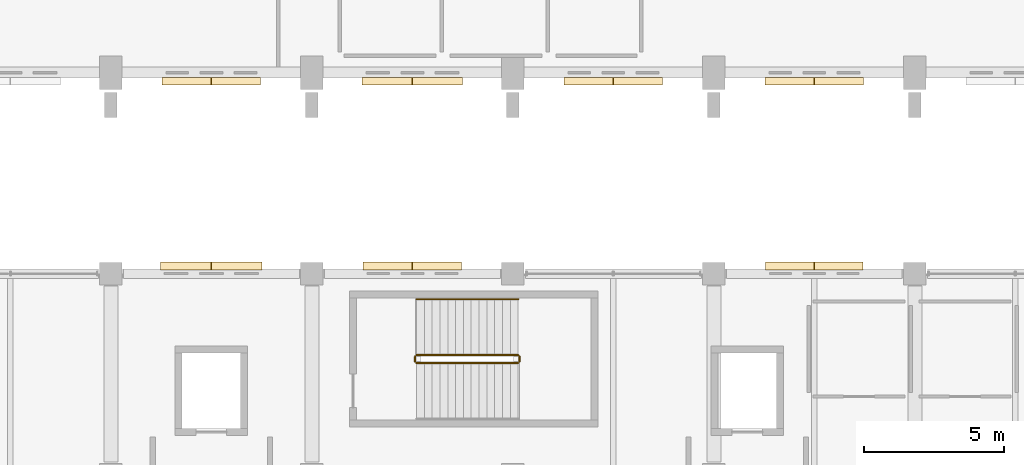
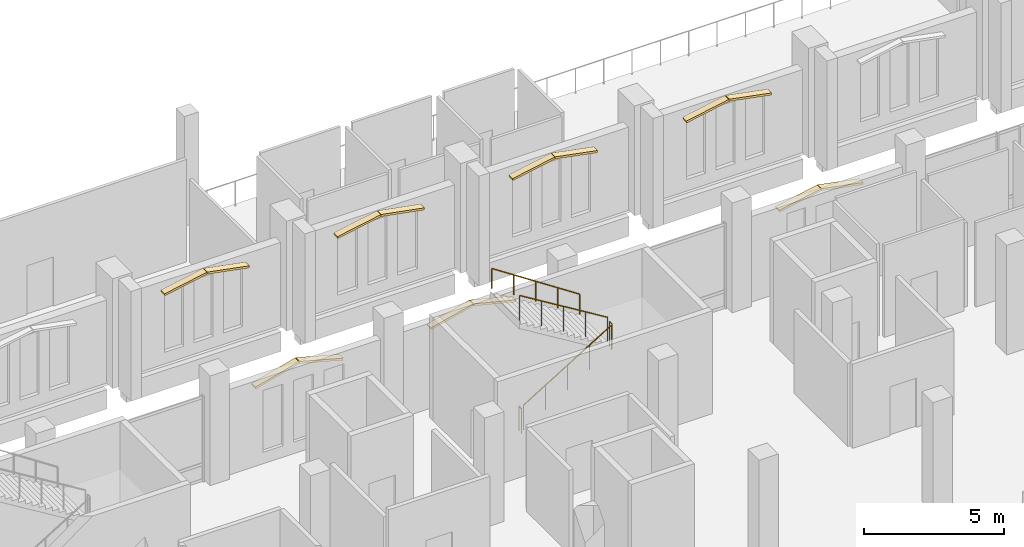
# One storey, part 207 of 220: 14 coverings, 5 railings.
"""IFC4 building model written with IfcOpenShell, lengths in metres."""

from ifc_helpers import new_model, si_unit, direction, frame, origin, origin_2d, place, context, subcontext, project, spatial, polyline, circle, outline, extrude, material, layer, layer_set, type_object, element, save


model = new_model("IFC4")

# Units and contexts
model_context = context("Model", 3, precision=1e-05, world=origin(), true_north=direction((0.0, 1.0)))
body_context = subcontext(model_context, "Body", "Model", "MODEL_VIEW")
ifc_project = project(units=[si_unit("LENGTHUNIT", "METRE"), si_unit("AREAUNIT", "SQUARE_METRE"), si_unit("VOLUMEUNIT", "CUBIC_METRE"), si_unit("PLANEANGLEUNIT", "RADIAN"), si_unit("MASSUNIT", "GRAM", prefix="KILO")], contexts=[model_context])

# Site, building, storey
site_placement = place(None, origin())
site = spatial("IfcSite", under=ifc_project, at=site_placement, CompositionType="ELEMENT")
building_placement = place(site_placement, origin())
building = spatial("IfcBuilding", under=site, at=building_placement, Name="Cendralis Lancet Convention Centre", CompositionType="ELEMENT")
storey_placement = place(building_placement, frame((0.0, 0.0, 5.39990234375)))
storey = spatial("IfcBuildingStorey", under=building, at=storey_placement, Name="L01", CompositionType="ELEMENT", Elevation=5.39990234375)

# Coverings
ifc_material_1 = material(Name="Warm buff sandstone chevron cassette", Category="masonry")
ifc_layer = layer(ifc_material_1, 0.06005859375, Name="Warm buff sandstone chevron cassette")
ifc_layer_set = layer_set([ifc_layer], Name="Warm buff sandstone chevron cassette")
covering_type = type_object("IfcCoveringType", Name="ARC-CV-CLAD1", PredefinedType="CLADDING", material=ifc_layer_set)
for number, where, z_axis, x_axis, name in (
    (1, (166.159912109375, 42.75, 3.27001953125), (0.187993527685, 0.0, 0.982170267086), (0.0, 1.0, 0.0), "L01 Gothic Pointed Lancet Hood-Mould #0105L"),
    (2, (164.389892578125, 42.75, 3.60498046875), (-0.187993527685, 0.0, 0.982170267086), (0.0, 1.0, 0.0), "L01 Gothic Pointed Lancet Hood-Mould #0106R"),
):
    element("IfcCovering", number, at=place(storey_placement, frame(where, z_axis=z_axis, x_axis=x_axis)), inside=storey, type_object=covering_type, Name=name, PredefinedType="CLADDING", context=body_context, shape_type="SweptSolid", body=[
        extrude(outline(polyline([(0.0, 0.0), (0.284912109375, 0.0), (0.284912109375, 1.7817684556784807), (0.0, 1.7817684556784807), (0.0, 0.0)])), origin(), (0.0, 0.0, -1.0), 0.090087890625),
    ])
covering_1_placement = place(storey_placement, frame((173.39990234375, 42.75, 3.27001953125), z_axis=(0.183956615362, 0.0, 0.982934363864), x_axis=(0.0, 1.0, 0.0)))
element("IfcCovering", 3, at=covering_1_placement, inside=storey, type_object=covering_type, Name="L01 Gothic Pointed Lancet Hood-Mould #0107L", PredefinedType="CLADDING", context=body_context, shape_type="SweptSolid", body=[
    extrude(outline(polyline([(0.0, 0.0), (0.284912109375, 0.0), (0.284912109375, 1.8208692133210493), (0.0, 1.8208692133210493), (0.0, 0.0)])), origin(), (0.0, 0.0, -1.0), 0.090087890625),
])
covering_2_placement = place(storey_placement, frame((171.590087890625, 42.75, 3.60498046875), z_axis=(-0.183932374671, 0.0, 0.982938900211), x_axis=(0.0, 1.0, 0.0)))
element("IfcCovering", 4, at=covering_2_placement, inside=storey, type_object=covering_type, Name="L01 Gothic Pointed Lancet Hood-Mould #0108R", PredefinedType="CLADDING", context=body_context, shape_type="SweptSolid", body=[
    extrude(outline(polyline([(0.0, 0.0), (0.284912109375, 0.0), (0.284912109375, 1.8211091880847667), (0.0, 1.8211091880847667), (0.0, 0.0)])), origin(), (0.0, 0.0, -1.0), 0.090087890625),
])
for number, where, z_axis, x_axis, name in (
    (5, (180.56005859375, 42.75, 3.27001953125), (0.187993527685, 0.0, 0.982170267086), (0.0, 1.0, 0.0), "L01 Gothic Pointed Lancet Hood-Mould #0109L"),
    (6, (178.7900390625, 42.75, 3.60498046875), (-0.187993527685, 0.0, 0.982170267086), (0.0, 1.0, 0.0), "L01 Gothic Pointed Lancet Hood-Mould #0110R"),
    (7, (187.760009765625, 42.75, 3.27001953125), (0.187993527685, 0.0, 0.982170267086), (0.0, 1.0, 0.0), "L01 Gothic Pointed Lancet Hood-Mould #0111L"),
    (8, (185.989990234375, 42.75, 3.60498046875), (-0.187993527685, 0.0, 0.982170267086), (0.0, 1.0, 0.0), "L01 Gothic Pointed Lancet Hood-Mould #0112R"),
):
    element("IfcCovering", number, at=place(storey_placement, frame(where, z_axis=z_axis, x_axis=x_axis)), inside=storey, type_object=covering_type, Name=name, PredefinedType="CLADDING", context=body_context, shape_type="SweptSolid", body=[
        extrude(outline(polyline([(0.0, 0.0), (0.284912109375, 0.0), (0.284912109375, 1.7817684556784807), (0.0, 1.7817684556784807), (0.0, 0.0)])), origin(), (0.0, 0.0, -1.0), 0.090087890625),
    ])
covering_3_placement = place(storey_placement, frame((162.580078125, 36.419921875, 3.22021484375), z_axis=(-0.258781677402, 0.0, 0.965935838159), x_axis=(0.0, -1.0, 0.0)))
element("IfcCovering", 9, at=covering_3_placement, inside=storey, type_object=covering_type, Name="L01 Gothic Pointed Lancet Hood-Mould #0327L", PredefinedType="CLADDING", context=body_context, shape_type="SweptSolid", body=[
    extrude(outline(polyline([(0.0, 0.0), (0.284912109375, 0.0), (0.284912109375, 1.8736383739250912), (0.0, 1.8736383739250912), (0.0, 0.0)])), origin(), (0.0, 0.0, -1.0), 0.090087890625),
])
covering_4_placement = place(storey_placement, frame((164.409912109375, 36.419921875, 3.705078125), z_axis=(0.25874910998, 0.0, 0.965944562635), x_axis=(0.0, -1.0, 0.0)))
element("IfcCovering", 10, at=covering_4_placement, inside=storey, type_object=covering_type, Name="L01 Gothic Pointed Lancet Hood-Mould #0328R", PredefinedType="CLADDING", context=body_context, shape_type="SweptSolid", body=[
    extrude(outline(polyline([(0.0, 0.0), (0.284912109375, 0.0), (0.284912109375, 1.873874199169396), (0.0, 1.873874199169396), (0.0, 0.0)])), origin(), (0.0, 0.0, -1.0), 0.090087890625),
])
for number, where, z_axis, x_axis, name in (
    (11, (169.840087890625, 36.419921875, 3.27001953125), (-0.241261177091, 0.0, 0.970460223002), (0.0, -1.0, 0.0), "L01 Gothic Pointed Lancet Hood-Mould #0329L"),
    (12, (171.610107421875, 36.419921875, 3.705078125), (0.241261177091, 0.0, 0.970460223002), (0.0, -1.0, 0.0), "L01 Gothic Pointed Lancet Hood-Mould #0330R"),
):
    element("IfcCovering", number, at=place(storey_placement, frame(where, z_axis=z_axis, x_axis=x_axis)), inside=storey, type_object=covering_type, Name=name, PredefinedType="CLADDING", context=body_context, shape_type="SweptSolid", body=[
        extrude(outline(polyline([(0.0, 0.0), (0.284912109375, 0.0), (0.284912109375, 1.803268138684796), (0.0, 1.803268138684796), (0.0, 0.0)])), origin(), (0.0, 0.0, -1.0), 0.090087890625),
    ])
for number, where, z_axis, x_axis, name in (
    (13, (184.260009765625, 36.419921875, 3.3701171875), (-0.190090833765, 0.0, 0.981766507332), (0.0, -1.0, 0.0), "L01 Gothic Pointed Lancet Hood-Mould #0331L"),
    (14, (186.010009765625, 36.419921875, 3.705078125), (0.190090833765, 0.0, 0.981766507332), (0.0, -1.0, 0.0), "L01 Gothic Pointed Lancet Hood-Mould #0332R"),
):
    element("IfcCovering", number, at=place(storey_placement, frame(where, z_axis=z_axis, x_axis=x_axis)), inside=storey, type_object=covering_type, Name=name, PredefinedType="CLADDING", context=body_context, shape_type="SweptSolid", body=[
        extrude(outline(polyline([(0.0, 0.0), (0.284912109375, 0.0), (0.284912109375, 1.762109886445039), (0.0, 1.762109886445039), (0.0, 0.0)])), origin(), (0.0, 0.0, -1.0), 0.090087890625),
    ])

# Railings
ifc_material_2 = material(Name="Steel S355", Category="steel")
railing_type_1 = type_object("IfcRailingType", Name="ARC-RL-CGD", PredefinedType="GUARDRAIL", material=ifc_material_2)
railing_1_placement = place(storey_placement, frame((171.75, 32.800048828125, 0.171630859375)))
element("IfcRailing", 15, at=railing_1_placement, inside=storey, type_object=railing_type_1, Name="L01 ST-14 stair guard 1", PredefinedType="GUARDRAIL", context=body_context, shape_type="SweptSolid", body=[
    extrude(circle(Radius=0.02392578125, at=origin_2d()), frame((0.0, 0.0, 1.076171875), z_axis=(0.852850264322, 0.0, 0.5221555579), x_axis=(0.0, 1.0, 0.0)), (0.0, 0.0, 1.0), 4.267822265625),
    extrude(circle(Radius=0.02099609375, at=origin_2d()), origin(), (0.0, 0.0, 1.0), 1.052001953125),
    extrude(circle(Radius=0.02099609375, at=origin_2d()), frame((0.909912109375, 0.0, 0.55712890625)), (0.0, 0.0, 1.0), 1.052001953125),
    extrude(circle(Radius=0.02099609375, at=origin_2d()), frame((1.81982421875, 0.0, 1.1142578125)), (0.0, 0.0, 1.0), 1.052001953125),
    extrude(circle(Radius=0.02099609375, at=origin_2d()), frame((2.72998046875, 0.0, 1.67138671875)), (0.0, 0.0, 1.0), 1.052001953125),
    extrude(circle(Radius=0.02099609375, at=origin_2d()), frame((3.639892578125, 0.0, 2.228515625)), (0.0, 0.0, 1.0), 1.052001953125),
])
railing_2_placement = place(storey_placement, frame((175.43994140625, 32.85009765625, 2.400146484375)))
element("IfcRailing", 16, at=railing_2_placement, inside=storey, type_object=railing_type_1, Name="L01 ST-14 stair guard 2", PredefinedType="GUARDRAIL", context=body_context, shape_type="SweptSolid", body=[
    extrude(circle(Radius=0.02392578125, at=origin_2d()), frame((0.0, 0.0, 1.076171875), z_axis=(0.0, 1.0, 0.0), x_axis=(-1.0, 0.0, 0.0)), (0.0, 0.0, 1.0), 0.179931640625),
    extrude(circle(Radius=0.02099609375, at=origin_2d()), origin(), (0.0, 0.0, 1.0), 1.052001953125),
    extrude(circle(Radius=0.02099609375, at=origin_2d()), frame((0.0, 0.179931640625, 0.0)), (0.0, 0.0, 1.0), 1.052001953125),
])
railing_3_placement = place(storey_placement, frame((175.389892578125, 33.080078125, 2.571533203125)))
element("IfcRailing", 17, at=railing_3_placement, inside=storey, type_object=railing_type_1, Name="L01 ST-14 stair guard 3", PredefinedType="GUARDRAIL", context=body_context, shape_type="SweptSolid", body=[
    extrude(circle(Radius=0.02392578125, at=origin_2d()), frame((0.0, 0.0, 1.076171875), z_axis=(-0.852850264322, 0.0, 0.5221555579), x_axis=(0.0, -1.0, 0.0)), (0.0, 0.0, 1.0), 4.267822265625),
    extrude(circle(Radius=0.02099609375, at=origin_2d()), origin(), (0.0, 0.0, 1.0), 1.052001953125),
    extrude(circle(Radius=0.02099609375, at=origin_2d()), frame((-0.909912109375, 0.0, 0.55712890625)), (0.0, 0.0, 1.0), 1.052001953125),
    extrude(circle(Radius=0.02099609375, at=origin_2d()), frame((-1.81982421875, 0.0, 1.1142578125)), (0.0, 0.0, 1.0), 1.052001953125),
    extrude(circle(Radius=0.02099609375, at=origin_2d()), frame((-2.72998046875, 0.0, 1.67138671875)), (0.0, 0.0, 1.0), 1.052001953125),
    extrude(circle(Radius=0.02099609375, at=origin_2d()), frame((-3.639892578125, 0.0, 2.228515625)), (0.0, 0.0, 1.0), 1.052001953125),
])
railing_4_placement = place(storey_placement, frame((171.699951171875, 32.85009765625, 0.0)))
element("IfcRailing", 18, at=railing_4_placement, inside=storey, type_object=railing_type_1, Name="L01 ST-14 stair guard 4", PredefinedType="GUARDRAIL", context=body_context, shape_type="SweptSolid", body=[
    extrude(circle(Radius=0.02392578125, at=origin_2d()), frame((0.0, 0.0, 1.076171875), z_axis=(0.0, 1.0, 0.0), x_axis=(-1.0, 0.0, 0.0)), (0.0, 0.0, 1.0), 0.179931640625),
    extrude(circle(Radius=0.02099609375, at=origin_2d()), origin(), (0.0, 0.0, 1.0), 1.052001953125),
    extrude(circle(Radius=0.02099609375, at=origin_2d()), frame((0.0, 0.179931640625, 0.0)), (0.0, 0.0, 1.0), 1.052001953125),
])
railing_type_2 = type_object("IfcRailingType", Name="ARC-RL-CHR", PredefinedType="HANDRAIL", material=ifc_material_2)
railing_5_placement = place(storey_placement, frame((175.389892578125, 35.080078125, 2.571533203125)))
element("IfcRailing", 19, at=railing_5_placement, inside=storey, type_object=railing_type_2, Name="L01 ST-14 stair handrail 2", PredefinedType="HANDRAIL", context=body_context, shape_type="SweptSolid", body=[
    extrude(circle(Radius=0.02392578125, at=origin_2d()), frame((0.0, 0.0, 0.8759765625), z_axis=(-0.834865213223, 0.0, 0.550454426587), x_axis=(0.0, -1.0, 0.0)), (0.0, 0.0, 1.0), 4.35986328125),
    extrude(circle(Radius=0.02099609375, at=origin_2d()), origin(), (0.0, 0.0, 1.0), 0.851806640625),
    extrude(circle(Radius=0.02099609375, at=origin_2d()), frame((-0.909912109375, 0.0, 0.60009765625)), (0.0, 0.0, 1.0), 0.851806640625),
    extrude(circle(Radius=0.02099609375, at=origin_2d()), frame((-1.81982421875, 0.0, 1.199951171875)), (0.0, 0.0, 1.0), 0.851806640625),
    extrude(circle(Radius=0.02099609375, at=origin_2d()), frame((-2.72998046875, 0.0, 1.7998046875)), (0.0, 0.0, 1.0), 0.851806640625),
    extrude(circle(Radius=0.02099609375, at=origin_2d()), frame((-3.639892578125, 0.0, 2.39990234375)), (0.0, 0.0, 1.0), 0.851806640625),
])

save(model, "model.ifc")
